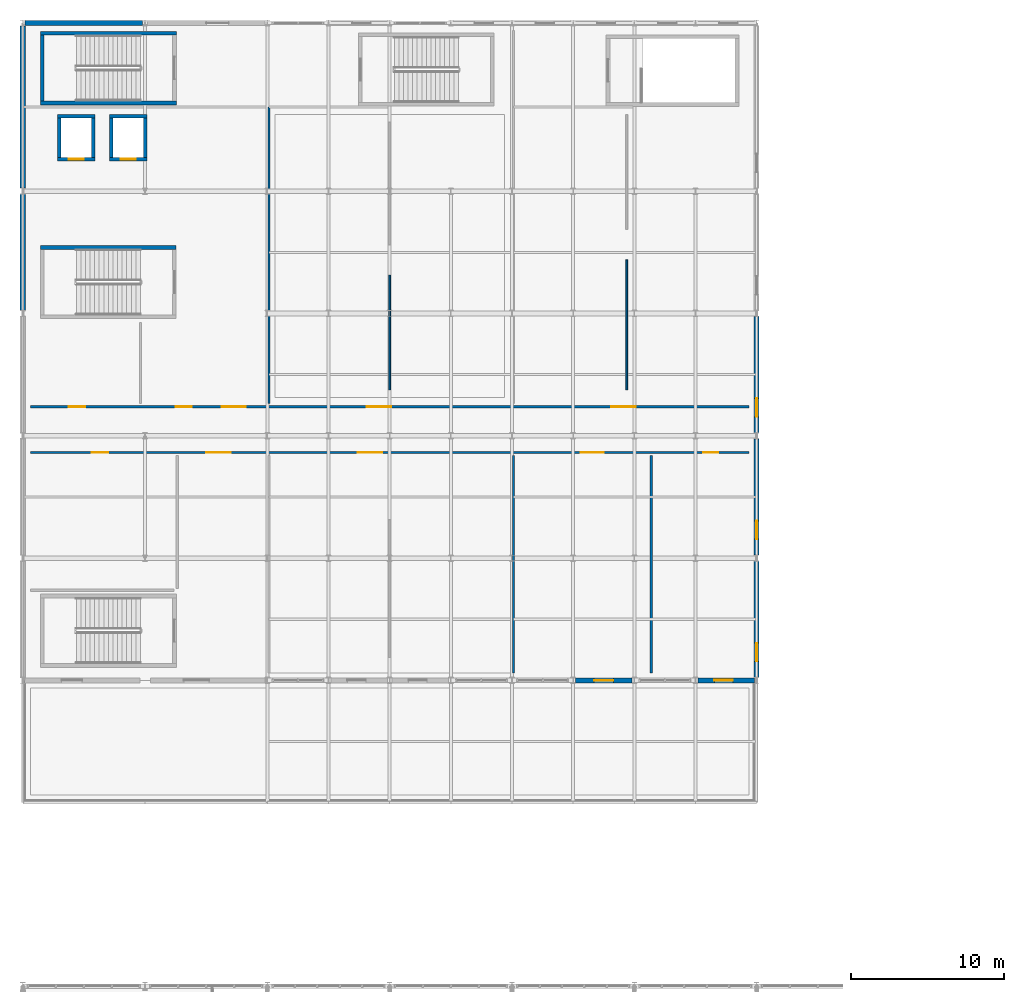
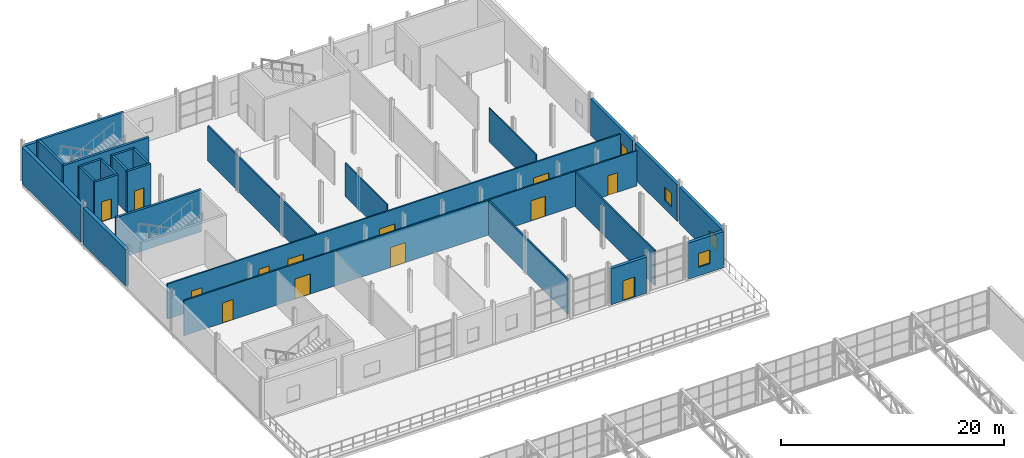
# One storey, part 60 of 67: 27 walls, 13 doors, 4 windows, 17 openings.
"""IFC4 building model written with IfcOpenShell, lengths in metres."""

from ifc_helpers import new_model, si_unit, derived_unit, direction, frame, frame_2d, origin, place, context, subcontext, project, spatial, rectangle, extrude, material, layer, layer_set, type_object, element, fill, save


model = new_model("IFC4")

# Units and contexts
model_context = context("Model", 3, precision=1e-05, world=origin(), true_north=direction((0.0, 1.0)))
body_context = subcontext(model_context, "Body", "Model", "MODEL_VIEW")
ifc_project = project(units=[si_unit("LENGTHUNIT", "METRE"), si_unit("AREAUNIT", "SQUARE_METRE"), si_unit("VOLUMEUNIT", "CUBIC_METRE"), si_unit("PLANEANGLEUNIT", "RADIAN"), si_unit("MASSUNIT", "GRAM", prefix="KILO"), derived_unit("THERMALTRANSMITTANCEUNIT", [(si_unit("POWERUNIT", "WATT"), 1), (si_unit("LENGTHUNIT", "METRE"), -2), (si_unit("THERMODYNAMICTEMPERATUREUNIT", "KELVIN"), -1)])], contexts=[model_context])

# Site, building, storey
site_placement = place(None, origin())
site = spatial("IfcSite", under=ifc_project, at=site_placement, CompositionType="ELEMENT")
building_placement = place(site_placement, origin())
building = spatial("IfcBuilding", under=site, at=building_placement, Name="Keldorne Ridge Multi-Sports Centre", CompositionType="ELEMENT")
storey_placement = place(building_placement, frame((0.0, 0.0, 14.0)))
storey = spatial("IfcBuildingStorey", under=building, at=storey_placement, Name="L03", CompositionType="ELEMENT", Elevation=14.0)

# Walls
ifc_material_1 = material(Name="Acoustic operable panel partition")
ifc_layer_1 = layer(ifc_material_1, 0.110107421875)
ifc_layer_set_1 = layer_set([ifc_layer_1])
wall_type_1 = type_object("IfcWallType", Name="WAL-MV-01", PredefinedType="MOVABLE", material=ifc_layer_set_1)
wall_1_placement = place(storey_placement, frame((128.0, 93.0, 0.0), z_axis=(0.0, 0.0, 1.0), x_axis=(0.0, 1.0, 0.0)))
element("IfcWall", 1, at=wall_1_placement, inside=storey, type_object=wall_type_1, Name="Acoustic operable studio partition MV-01", PredefinedType="MOVABLE", context=body_context, shape_type="SweptSolid", body=[
    extrude(rectangle(XDim=7.5, YDim=0.110107421875, at=frame_2d((3.75, 0.0))), origin(), (0.0, 0.0, 1.0), 3.699951171875),
])
wall_2_placement = place(storey_placement, frame((143.5, 93.0, 0.0), z_axis=(0.0, 0.0, 1.0), x_axis=(0.0, 1.0, 0.0)))
element("IfcWall", 2, at=wall_2_placement, inside=storey, type_object=wall_type_1, Name="Acoustic operable studio partition MV-03", PredefinedType="MOVABLE", context=body_context, shape_type="SweptSolid", body=[
    extrude(rectangle(XDim=8.5, YDim=0.110107421875, at=frame_2d((4.25, 0.0))), origin(), (0.0, 0.0, 1.0), 3.699951171875),
])

# Wall, opening, door
ifc_material_2 = material(Name="Precast concrete C40/50", Category="concrete")
ifc_layer_2 = layer(ifc_material_2, 0.320068359375)
ifc_layer_set_2 = layer_set([ifc_layer_2], Name="Precast concrete C40/50")
wall_type_2 = type_object("IfcWallType", Name="WAL-PR-W1", PredefinedType="STANDARD", material=ifc_layer_set_2)
wall_3_placement = place(storey_placement, frame((140.152099609375, 74.0, 0.0), z_axis=(0.0, 0.0, 1.0), x_axis=(1.0, 0.0, 0.0)))
wall_3 = element("IfcWall", 3, at=wall_3_placement, inside=storey, type_object=wall_type_2, Name="East Wing L03 south facade 8", PredefinedType="STANDARD", context=body_context, shape_type="SweptSolid", body=[
    extrude(rectangle(XDim=3.69580078125, YDim=0.320068359375, at=frame_2d((1.847900390625, 0.0))), origin(), (0.0, 0.0, 1.0), 3.955078125),
])
opening_1_placement = place(wall_3_placement, frame((1.222900390625, 0.0, 0.0)))
opening_1 = element("IfcOpeningElement", 4, at=opening_1_placement, cuts=wall_3, Name="Opening ED-06", PredefinedType="OPENING", context=body_context, shape_type="SweptSolid", body=[
    extrude(rectangle(XDim=1.25, YDim=2.199951171875, at=frame_2d((0.625, 1.10009765625))), frame((0.0, 0.169921875, 0.0), z_axis=(0.0, -1.0, 0.0), x_axis=(1.0, 0.0, 0.0)), (0.0, 0.0, 1.0), 0.340087890625),
])
ifc_material_3 = material(Name="Galvanized steel", Category="steel")
door_type_1 = type_object("IfcDoorType", Name="DR-ED-06", OperationType="NOTDEFINED", PredefinedType="DOOR", material=ifc_material_3)
door_1_placement = place(opening_1_placement, origin())
door_1 = element("IfcDoor", 5, at=door_1_placement, inside=storey, type_object=door_type_1, Name="Third floor South Roof Garden door 7", OperationType="SINGLE_SWING_LEFT", OverallHeight=2.199951171875, OverallWidth=1.25, PredefinedType="DOOR", context=body_context, shape_type="SweptSolid", body=[
    extrude(rectangle(XDim=1.25, YDim=2.199951171875, at=frame_2d((0.625, 1.10009765625))), frame((0.0, 0.02490234375, 0.0), z_axis=(0.0, -1.0, 0.0), x_axis=(1.0, 0.0, 0.0)), (0.0, 0.0, 1.0), 0.050048828125),
])
fill(opening_1, door_1)

# Wall, opening, window
wall_4_placement = place(storey_placement, frame((148.152099609375, 74.0, 0.0), z_axis=(0.0, 0.0, 1.0), x_axis=(1.0, 0.0, 0.0)))
wall_4 = element("IfcWall", 6, at=wall_4_placement, inside=storey, type_object=wall_type_2, Name="East Wing L03 south facade 10", PredefinedType="STANDARD", context=body_context, shape_type="SweptSolid", body=[
    extrude(rectangle(XDim=3.69580078125, YDim=0.320068359375, at=frame_2d((1.847900390625, 0.0))), origin(), (0.0, 0.0, 1.0), 3.955078125),
])
opening_2_placement = place(wall_4_placement, frame((1.087890625, 0.0, 0.949951171875)))
opening_2 = element("IfcOpeningElement", 7, at=opening_2_placement, cuts=wall_4, Name="Opening W-03", PredefinedType="OPENING", context=body_context, shape_type="SweptSolid", body=[
    extrude(rectangle(XDim=1.199951171875, YDim=1.5, at=frame_2d((0.60009765625, 0.75))), frame((0.0, 0.169921875, 0.0), z_axis=(0.0, -1.0, 0.0), x_axis=(1.0, 0.0, 0.0)), (0.0, 0.0, 1.0), 0.340087890625),
])
ifc_material_4 = material(Name="Anodized aluminium", Category="aluminium")
window_type = type_object("IfcWindowType", Name="WIN-W-03", PartitioningType="SINGLE_PANEL", PredefinedType="WINDOW", material=ifc_material_4)
window_1_placement = place(opening_2_placement, origin())
window_1 = element("IfcWindow", 8, at=window_1_placement, inside=storey, type_object=window_type, Name="East Wing L03 south window W-094", OverallHeight=1.5, OverallWidth=1.199951171875, PartitioningType="SINGLE_PANEL", PredefinedType="WINDOW", context=body_context, shape_type="SweptSolid", body=[
    extrude(rectangle(XDim=1.199951171875, YDim=1.5, at=frame_2d((0.60009765625, 0.75))), frame((0.0, 0.030029296875, 0.0), z_axis=(0.0, -1.0, 0.0), x_axis=(1.0, 0.0, 0.0)), (0.0, 0.0, 1.0), 0.06005859375),
])
fill(opening_2, window_1)

# Wall
wall_5_placement = place(storey_placement, frame((111.847900390625, 117.0, 0.0), z_axis=(0.0, 0.0, 1.0), x_axis=(-1.0, 0.0, 0.0)))
element("IfcWall", 9, at=wall_5_placement, inside=storey, type_object=wall_type_2, Name="East Wing L03 north facade 1", PredefinedType="STANDARD", context=body_context, shape_type="SweptSolid", body=[
    extrude(rectangle(XDim=7.69580078125, YDim=0.320068359375, at=frame_2d((3.847900390625, 0.0))), origin(), (0.0, 0.0, 1.0), 3.955078125),
])

# Wall, opening, window
wall_6_placement = place(storey_placement, frame((152.0, 74.197021484375, 0.0), z_axis=(0.0, 0.0, 1.0), x_axis=(0.0, 1.0, 0.0)))
wall_6 = element("IfcWall", 10, at=wall_6_placement, inside=storey, type_object=wall_type_2, Name="East Wing L03 east facade 1", PredefinedType="STANDARD", context=body_context, shape_type="SweptSolid", body=[
    extrude(rectangle(XDim=7.60595703125, YDim=0.320068359375, at=frame_2d((3.802978515625, 0.0))), origin(), (0.0, 0.0, 1.0), 4.0048828125),
])
opening_3_placement = place(wall_6_placement, frame((1.04296875, 0.0, 0.949951171875)))
opening_3 = element("IfcOpeningElement", 11, at=opening_3_placement, cuts=wall_6, Name="Opening W-03", PredefinedType="OPENING", context=body_context, shape_type="SweptSolid", body=[
    extrude(rectangle(XDim=1.199951171875, YDim=1.5, at=frame_2d((0.60009765625, 0.75))), frame((0.0, 0.169921875, 0.0), z_axis=(0.0, -1.0, 0.0), x_axis=(1.0, 0.0, 0.0)), (0.0, 0.0, 1.0), 0.340087890625),
])
window_2_placement = place(opening_3_placement, origin())
window_2 = element("IfcWindow", 12, at=window_2_placement, inside=storey, type_object=window_type, Name="East Wing L03 east window W-102", OverallHeight=1.5, OverallWidth=1.199951171875, PartitioningType="SINGLE_PANEL", PredefinedType="WINDOW", context=body_context, shape_type="SweptSolid", body=[
    extrude(rectangle(XDim=1.199951171875, YDim=1.5, at=frame_2d((0.60009765625, 0.75))), frame((0.0, 0.030029296875, 0.0), z_axis=(0.0, -1.0, 0.0), x_axis=(1.0, 0.0, 0.0)), (0.0, 0.0, 1.0), 0.06005859375),
])
fill(opening_3, window_2)

wall_7_placement = place(storey_placement, frame((152.0, 82.197021484375, 0.0), z_axis=(0.0, 0.0, 1.0), x_axis=(0.0, 1.0, 0.0)))
wall_7 = element("IfcWall", 13, at=wall_7_placement, inside=storey, type_object=wall_type_2, Name="East Wing L03 east facade 2", PredefinedType="STANDARD", context=body_context, shape_type="SweptSolid", body=[
    extrude(rectangle(XDim=7.60595703125, YDim=0.320068359375, at=frame_2d((3.802978515625, 0.0))), origin(), (0.0, 0.0, 1.0), 4.0048828125),
])
opening_4_placement = place(wall_7_placement, frame((1.04296875, 0.0, 0.949951171875)))
opening_4 = element("IfcOpeningElement", 14, at=opening_4_placement, cuts=wall_7, Name="Opening W-03", PredefinedType="OPENING", context=body_context, shape_type="SweptSolid", body=[
    extrude(rectangle(XDim=1.199951171875, YDim=1.5, at=frame_2d((0.60009765625, 0.75))), frame((0.0, 0.169921875, 0.0), z_axis=(0.0, -1.0, 0.0), x_axis=(1.0, 0.0, 0.0)), (0.0, 0.0, 1.0), 0.340087890625),
])
window_3_placement = place(opening_4_placement, origin())
window_3 = element("IfcWindow", 15, at=window_3_placement, inside=storey, type_object=window_type, Name="East Wing L03 east window W-103", OverallHeight=1.5, OverallWidth=1.199951171875, PartitioningType="SINGLE_PANEL", PredefinedType="WINDOW", context=body_context, shape_type="SweptSolid", body=[
    extrude(rectangle(XDim=1.199951171875, YDim=1.5, at=frame_2d((0.60009765625, 0.75))), frame((0.0, 0.030029296875, 0.0), z_axis=(0.0, -1.0, 0.0), x_axis=(1.0, 0.0, 0.0)), (0.0, 0.0, 1.0), 0.06005859375),
])
fill(opening_4, window_3)

wall_8_placement = place(storey_placement, frame((152.0, 90.197021484375, 0.0), z_axis=(0.0, 0.0, 1.0), x_axis=(0.0, 1.0, 0.0)))
wall_8 = element("IfcWall", 16, at=wall_8_placement, inside=storey, type_object=wall_type_2, Name="East Wing L03 east facade 3", PredefinedType="STANDARD", context=body_context, shape_type="SweptSolid", body=[
    extrude(rectangle(XDim=7.60595703125, YDim=0.320068359375, at=frame_2d((3.802978515625, 0.0))), origin(), (0.0, 0.0, 1.0), 4.0048828125),
])
opening_5_placement = place(wall_8_placement, frame((1.04296875, 0.0, 0.949951171875)))
opening_5 = element("IfcOpeningElement", 17, at=opening_5_placement, cuts=wall_8, Name="Opening W-03", PredefinedType="OPENING", context=body_context, shape_type="SweptSolid", body=[
    extrude(rectangle(XDim=1.199951171875, YDim=1.5, at=frame_2d((0.60009765625, 0.75))), frame((0.0, 0.169921875, 0.0), z_axis=(0.0, -1.0, 0.0), x_axis=(1.0, 0.0, 0.0)), (0.0, 0.0, 1.0), 0.340087890625),
])
window_4_placement = place(opening_5_placement, origin())
window_4 = element("IfcWindow", 18, at=window_4_placement, inside=storey, type_object=window_type, Name="East Wing L03 east window W-104", OverallHeight=1.5, OverallWidth=1.199951171875, PartitioningType="SINGLE_PANEL", PredefinedType="WINDOW", context=body_context, shape_type="SweptSolid", body=[
    extrude(rectangle(XDim=1.199951171875, YDim=1.5, at=frame_2d((0.60009765625, 0.75))), frame((0.0, 0.030029296875, 0.0), z_axis=(0.0, -1.0, 0.0), x_axis=(1.0, 0.0, 0.0)), (0.0, 0.0, 1.0), 0.06005859375),
])
fill(opening_5, window_4)

# Walls
ifc_layer_3 = layer(ifc_material_2, 0.360107421875)
ifc_layer_set_3 = layer_set([ifc_layer_3], Name="Precast concrete C40/50")
wall_type_3 = type_object("IfcWallType", Name="WAL-PR-W2", PredefinedType="STANDARD", material=ifc_layer_set_3)
wall_9_placement = place(storey_placement, frame((104.0, 105.802978515625, 0.0), z_axis=(0.0, 0.0, 1.0), x_axis=(0.0, -1.0, 0.0)))
element("IfcWall", 19, at=wall_9_placement, inside=storey, type_object=wall_type_3, Name="East Wing movement-joint wall L03.4", PredefinedType="STANDARD", context=body_context, shape_type="SweptSolid", body=[
    extrude(rectangle(XDim=7.60595703125, YDim=0.360107421875, at=frame_2d((3.802978515625, 0.0))), origin(), (0.0, 0.0, 1.0), 4.0048828125),
])
wall_10_placement = place(storey_placement, frame((104.0, 116.802978515625, 0.0), z_axis=(0.0, 0.0, 1.0), x_axis=(0.0, -1.0, 0.0)))
element("IfcWall", 20, at=wall_10_placement, inside=storey, type_object=wall_type_3, Name="East Wing movement-joint wall L03.5", PredefinedType="STANDARD", context=body_context, shape_type="SweptSolid", body=[
    extrude(rectangle(XDim=10.60595703125, YDim=0.360107421875, at=frame_2d((5.302978515625, 0.0))), origin(), (0.0, 0.0, 1.0), 4.0048828125),
])

# Wall, openings, doors
ifc_material_5 = material(Name="Fire-rated twin stud plasterboard")
ifc_layer_4 = layer(ifc_material_5, 0.14990234375)
ifc_layer_set_4 = layer_set([ifc_layer_4])
wall_type_4 = type_object("IfcWallType", Name="WAL-PT-02", PredefinedType="PARTITIONING", material=ifc_layer_set_4)
wall_11_placement = place(storey_placement, frame((104.5, 88.89990234375, 0.0), z_axis=(0.0, 0.0, 1.0), x_axis=(1.0, 0.0, 0.0)))
wall_11 = element("IfcWall", 21, at=wall_11_placement, inside=storey, type_object=wall_type_4, Name="Studio corridor south wall IW-L03-063", PredefinedType="PARTITIONING", context=body_context, shape_type="SweptSolid", body=[
    extrude(rectangle(XDim=47.0, YDim=0.14990234375, at=frame_2d((23.5, 0.0))), origin(), (0.0, 0.0, 1.0), 3.85009765625),
])
opening_6_placement = place(wall_11_placement, frame((4.0, 0.0, 0.0)))
opening_6 = element("IfcOpeningElement", 22, at=opening_6_placement, cuts=wall_11, Name="Opening D-03", PredefinedType="OPENING", context=body_context, shape_type="SweptSolid", body=[
    extrude(rectangle(XDim=1.10009765625, YDim=2.199951171875, at=frame_2d((0.550048828125, 1.10009765625))), frame((0.0, 0.0849609375, 0.0), z_axis=(0.0, -1.0, 0.0), x_axis=(1.0, 0.0, 0.0)), (0.0, 0.0, 1.0), 0.169921875),
])
opening_7_placement = place(wall_11_placement, frame((11.5, 0.0, 0.0)))
opening_7 = element("IfcOpeningElement", 23, at=opening_7_placement, cuts=wall_11, Name="Opening D-04", PredefinedType="OPENING", context=body_context, shape_type="SweptSolid", body=[
    extrude(rectangle(XDim=1.60009765625, YDim=2.199951171875, at=frame_2d((0.800048828125, 1.10009765625))), frame((0.0, 0.0849609375, 0.0), z_axis=(0.0, -1.0, 0.0), x_axis=(1.0, 0.0, 0.0)), (0.0, 0.0, 1.0), 0.169921875),
])
opening_8_placement = place(wall_11_placement, frame((21.39990234375, 0.0, 0.0)))
opening_8 = element("IfcOpeningElement", 24, at=opening_8_placement, cuts=wall_11, Name="Opening D-04", PredefinedType="OPENING", context=body_context, shape_type="SweptSolid", body=[
    extrude(rectangle(XDim=1.60009765625, YDim=2.199951171875, at=frame_2d((0.800048828125, 1.10009765625))), frame((0.0, 0.0849609375, 0.0), z_axis=(0.0, -1.0, 0.0), x_axis=(1.0, 0.0, 0.0)), (0.0, 0.0, 1.0), 0.169921875),
])
opening_9_placement = place(wall_11_placement, frame((36.0, 0.0, 0.0)))
opening_9 = element("IfcOpeningElement", 25, at=opening_9_placement, cuts=wall_11, Name="Opening D-10", PredefinedType="OPENING", context=body_context, shape_type="SweptSolid", body=[
    extrude(rectangle(XDim=1.5, YDim=2.199951171875, at=frame_2d((0.75, 1.10009765625))), frame((0.0, 0.0849609375, 0.0), z_axis=(0.0, -1.0, 0.0), x_axis=(1.0, 0.0, 0.0)), (0.0, 0.0, 1.0), 0.169921875),
])
opening_10_placement = place(wall_11_placement, frame((44.0, 0.0, 0.0)))
opening_10 = element("IfcOpeningElement", 26, at=opening_10_placement, cuts=wall_11, Name="Opening D-02", PredefinedType="OPENING", context=body_context, shape_type="SweptSolid", body=[
    extrude(rectangle(XDim=1.0, YDim=2.14990234375, at=frame_2d((0.5, 1.074951171875))), frame((0.0, 0.0849609375, 0.0), z_axis=(0.0, -1.0, 0.0), x_axis=(1.0, 0.0, 0.0)), (0.0, 0.0, 1.0), 0.169921875),
])
ifc_material_6 = material(Name="Timber acoustic leaf", Category="wood")
door_type_2 = type_object("IfcDoorType", Name="DR-D-02", OperationType="NOTDEFINED", PredefinedType="DOOR", material=ifc_material_6)
door_2_placement = place(opening_10_placement, origin())
door_2 = element("IfcDoor", 27, at=door_2_placement, inside=storey, type_object=door_type_2, Name="Community Sports Seminar door D-127", OperationType="SINGLE_SWING_LEFT", OverallHeight=2.14990234375, OverallWidth=1.0, PredefinedType="DOOR", context=body_context, shape_type="SweptSolid", body=[
    extrude(rectangle(XDim=1.0, YDim=2.14990234375, at=frame_2d((0.5, 1.074951171875))), frame((0.0, 0.02490234375, 0.0), z_axis=(0.0, -1.0, 0.0), x_axis=(1.0, 0.0, 0.0)), (0.0, 0.0, 1.0), 0.050048828125),
])
fill(opening_10, door_2)
ifc_material_7 = material(Name="Timber fire-resisting leaf", Category="wood")
door_type_3 = type_object("IfcDoorType", Name="DR-D-03", OperationType="NOTDEFINED", PredefinedType="DOOR", material=ifc_material_7)
door_3_placement = place(opening_6_placement, origin())
door_3 = element("IfcDoor", 28, at=door_3_placement, inside=storey, type_object=door_type_3, Name="Studio Changing Room door D-123", OperationType="SINGLE_SWING_RIGHT", OverallHeight=2.199951171875, OverallWidth=1.10009765625, PredefinedType="DOOR", context=body_context, shape_type="SweptSolid", body=[
    extrude(rectangle(XDim=1.10009765625, YDim=2.199951171875, at=frame_2d((0.550048828125, 1.10009765625))), frame((0.0, 0.02490234375, 0.0), z_axis=(0.0, -1.0, 0.0), x_axis=(1.0, 0.0, 0.0)), (0.0, 0.0, 1.0), 0.050048828125),
])
fill(opening_6, door_3)
ifc_material_8 = material(Name="Timber fire-resisting pair", Category="wood")
door_type_4 = type_object("IfcDoorType", Name="DR-D-04", OperationType="NOTDEFINED", PredefinedType="DOOR", material=ifc_material_8)
door_4_placement = place(opening_7_placement, origin())
door_4 = element("IfcDoor", 29, at=door_4_placement, inside=storey, type_object=door_type_4, Name="Third floor south lift lobby door D-124", OperationType="DOUBLE_DOOR_SINGLE_SWING", OverallHeight=2.199951171875, OverallWidth=1.60009765625, PredefinedType="DOOR", context=body_context, shape_type="SweptSolid", body=[
    extrude(rectangle(XDim=1.60009765625, YDim=2.199951171875, at=frame_2d((0.800048828125, 1.10009765625))), frame((0.0, 0.02490234375, 0.0), z_axis=(0.0, -1.0, 0.0), x_axis=(1.0, 0.0, 0.0)), (0.0, 0.0, 1.0), 0.050048828125),
])
fill(opening_7, door_4)
door_5_placement = place(opening_8_placement, origin())
door_5 = element("IfcDoor", 30, at=door_5_placement, inside=storey, type_object=door_type_4, Name="Martial Arts Dojo double door D-125", OperationType="DOUBLE_DOOR_SINGLE_SWING", OverallHeight=2.199951171875, OverallWidth=1.60009765625, PredefinedType="DOOR", context=body_context, shape_type="SweptSolid", body=[
    extrude(rectangle(XDim=1.60009765625, YDim=2.199951171875, at=frame_2d((0.800048828125, 1.10009765625))), frame((0.0, 0.02490234375, 0.0), z_axis=(0.0, -1.0, 0.0), x_axis=(1.0, 0.0, 0.0)), (0.0, 0.0, 1.0), 0.050048828125),
])
fill(opening_8, door_5)
ifc_material_9 = material(Name="Timber acoustic pair", Category="wood")
door_type_5 = type_object("IfcDoorType", Name="DR-D-10", OperationType="NOTDEFINED", PredefinedType="DOOR", material=ifc_material_9)
door_6_placement = place(opening_9_placement, origin())
door_6 = element("IfcDoor", 31, at=door_6_placement, inside=storey, type_object=door_type_5, Name="Athletic Conditioning Gym door D-126", OperationType="DOUBLE_DOOR_SINGLE_SWING", OverallHeight=2.199951171875, OverallWidth=1.5, PredefinedType="DOOR", context=body_context, shape_type="SweptSolid", body=[
    extrude(rectangle(XDim=1.5, YDim=2.199951171875, at=frame_2d((0.75, 1.10009765625))), frame((0.0, 0.02490234375, 0.0), z_axis=(0.0, -1.0, 0.0), x_axis=(1.0, 0.0, 0.0)), (0.0, 0.0, 1.0), 0.050048828125),
])
fill(opening_9, door_6)

wall_12_placement = place(storey_placement, frame((104.5, 91.89990234375, 0.0), z_axis=(0.0, 0.0, 1.0), x_axis=(1.0, 0.0, 0.0)))
wall_12 = element("IfcWall", 32, at=wall_12_placement, inside=storey, type_object=wall_type_4, Name="Studio corridor north wall IW-L03-064", PredefinedType="PARTITIONING", context=body_context, shape_type="SweptSolid", body=[
    extrude(rectangle(XDim=47.0, YDim=0.14990234375, at=frame_2d((23.5, 0.0))), origin(), (0.0, 0.0, 1.0), 3.85009765625),
])
opening_11_placement = place(wall_12_placement, frame((2.5, 0.0, 0.0)))
opening_11 = element("IfcOpeningElement", 33, at=opening_11_placement, cuts=wall_12, Name="Opening D-03", PredefinedType="OPENING", context=body_context, shape_type="SweptSolid", body=[
    extrude(rectangle(XDim=1.10009765625, YDim=2.199951171875, at=frame_2d((0.550048828125, 1.10009765625))), frame((0.0, 0.0849609375, 0.0), z_axis=(0.0, -1.0, 0.0), x_axis=(1.0, 0.0, 0.0)), (0.0, 0.0, 1.0), 0.169921875),
])
opening_12_placement = place(wall_12_placement, frame((9.5, 0.0, 0.0)))
opening_12 = element("IfcOpeningElement", 34, at=opening_12_placement, cuts=wall_12, Name="Opening D-08", PredefinedType="OPENING", context=body_context, shape_type="SweptSolid", body=[
    extrude(rectangle(XDim=1.050048828125, YDim=2.14990234375, at=frame_2d((0.52490234375, 1.074951171875))), frame((0.0, 0.0849609375, 0.0), z_axis=(0.0, -1.0, 0.0), x_axis=(1.0, 0.0, 0.0)), (0.0, 0.0, 1.0), 0.169921875),
])
opening_13_placement = place(wall_12_placement, frame((12.5, 0.0, 0.0)))
opening_13 = element("IfcOpeningElement", 35, at=opening_13_placement, cuts=wall_12, Name="Opening D-04", PredefinedType="OPENING", context=body_context, shape_type="SweptSolid", body=[
    extrude(rectangle(XDim=1.60009765625, YDim=2.199951171875, at=frame_2d((0.800048828125, 1.10009765625))), frame((0.0, 0.0849609375, 0.0), z_axis=(0.0, -1.0, 0.0), x_axis=(1.0, 0.0, 0.0)), (0.0, 0.0, 1.0), 0.169921875),
])
opening_14_placement = place(wall_12_placement, frame((22.0, 0.0, 0.0)))
opening_14 = element("IfcOpeningElement", 36, at=opening_14_placement, cuts=wall_12, Name="Opening D-04", PredefinedType="OPENING", context=body_context, shape_type="SweptSolid", body=[
    extrude(rectangle(XDim=1.60009765625, YDim=2.199951171875, at=frame_2d((0.800048828125, 1.10009765625))), frame((0.0, 0.0849609375, 0.0), z_axis=(0.0, -1.0, 0.0), x_axis=(1.0, 0.0, 0.0)), (0.0, 0.0, 1.0), 0.169921875),
])
opening_15_placement = place(wall_12_placement, frame((38.0, 0.0, 0.0)))
opening_15 = element("IfcOpeningElement", 37, at=opening_15_placement, cuts=wall_12, Name="Opening D-04", PredefinedType="OPENING", context=body_context, shape_type="SweptSolid", body=[
    extrude(rectangle(XDim=1.60009765625, YDim=2.199951171875, at=frame_2d((0.800048828125, 1.10009765625))), frame((0.0, 0.0849609375, 0.0), z_axis=(0.0, -1.0, 0.0), x_axis=(1.0, 0.0, 0.0)), (0.0, 0.0, 1.0), 0.169921875),
])
door_7_placement = place(opening_11_placement, origin())
door_7 = element("IfcDoor", 38, at=door_7_placement, inside=storey, type_object=door_type_3, Name="Third floor Public WC door D-128", OperationType="SINGLE_SWING_RIGHT", OverallHeight=2.199951171875, OverallWidth=1.10009765625, PredefinedType="DOOR", context=body_context, shape_type="SweptSolid", body=[
    extrude(rectangle(XDim=1.10009765625, YDim=2.199951171875, at=frame_2d((0.550048828125, 1.10009765625))), frame((0.0, 0.02490234375, 0.0), z_axis=(0.0, -1.0, 0.0), x_axis=(1.0, 0.0, 0.0)), (0.0, 0.0, 1.0), 0.050048828125),
])
fill(opening_11, door_7)
door_8_placement = place(opening_13_placement, origin())
door_8 = element("IfcDoor", 39, at=door_8_placement, inside=storey, type_object=door_type_4, Name="Third floor north lift lobby door D-130", OperationType="DOUBLE_DOOR_SINGLE_SWING", OverallHeight=2.199951171875, OverallWidth=1.60009765625, PredefinedType="DOOR", context=body_context, shape_type="SweptSolid", body=[
    extrude(rectangle(XDim=1.60009765625, YDim=2.199951171875, at=frame_2d((0.800048828125, 1.10009765625))), frame((0.0, 0.02490234375, 0.0), z_axis=(0.0, -1.0, 0.0), x_axis=(1.0, 0.0, 0.0)), (0.0, 0.0, 1.0), 0.050048828125),
])
fill(opening_13, door_8)
door_9_placement = place(opening_14_placement, origin())
door_9 = element("IfcDoor", 40, at=door_9_placement, inside=storey, type_object=door_type_4, Name="Sprung Dance Studio double door D-131", OperationType="DOUBLE_DOOR_SINGLE_SWING", OverallHeight=2.199951171875, OverallWidth=1.60009765625, PredefinedType="DOOR", context=body_context, shape_type="SweptSolid", body=[
    extrude(rectangle(XDim=1.60009765625, YDim=2.199951171875, at=frame_2d((0.800048828125, 1.10009765625))), frame((0.0, 0.02490234375, 0.0), z_axis=(0.0, -1.0, 0.0), x_axis=(1.0, 0.0, 0.0)), (0.0, 0.0, 1.0), 0.050048828125),
])
fill(opening_14, door_9)
door_10_placement = place(opening_15_placement, origin())
door_10 = element("IfcDoor", 41, at=door_10_placement, inside=storey, type_object=door_type_4, Name="High-Impact Aerobics Studio double door D-132", OperationType="DOUBLE_DOOR_SINGLE_SWING", OverallHeight=2.199951171875, OverallWidth=1.60009765625, PredefinedType="DOOR", context=body_context, shape_type="SweptSolid", body=[
    extrude(rectangle(XDim=1.60009765625, YDim=2.199951171875, at=frame_2d((0.800048828125, 1.10009765625))), frame((0.0, 0.02490234375, 0.0), z_axis=(0.0, -1.0, 0.0), x_axis=(1.0, 0.0, 0.0)), (0.0, 0.0, 1.0), 0.050048828125),
])
fill(opening_15, door_10)
ifc_material_10 = material(Name="Timber moisture-resistant leaf", Category="wood")
door_type_6 = type_object("IfcDoorType", Name="DR-D-08", OperationType="NOTDEFINED", PredefinedType="DOOR", material=ifc_material_10)
door_11_placement = place(opening_12_placement, origin())
door_11 = element("IfcDoor", 42, at=door_11_placement, inside=storey, type_object=door_type_6, Name="Third floor Accessible WC door D-129", OperationType="SINGLE_SWING_LEFT", OverallHeight=2.14990234375, OverallWidth=1.050048828125, PredefinedType="DOOR", context=body_context, shape_type="SweptSolid", body=[
    extrude(rectangle(XDim=1.050048828125, YDim=2.14990234375, at=frame_2d((0.52490234375, 1.074951171875))), frame((0.0, 0.02490234375, 0.0), z_axis=(0.0, -1.0, 0.0), x_axis=(1.0, 0.0, 0.0)), (0.0, 0.0, 1.0), 0.050048828125),
])
fill(opening_12, door_11)

# Walls
for number, where, z_axis, x_axis, name in (
    (43, (136.10009765625, 74.5, 0.0), (0.0, 0.0, 1.0), (0.0, 1.0, 0.0), "Third floor studio divider IW-L03-068"),
    (44, (145.10009765625, 74.5, 0.0), (0.0, 0.0, 1.0), (0.0, 1.0, 0.0), "Third floor studio divider IW-L03-069"),
):
    element("IfcWall", number, at=place(storey_placement, frame(where, z_axis=z_axis, x_axis=x_axis)), inside=storey, type_object=wall_type_4, Name=name, PredefinedType="PARTITIONING", context=body_context, shape_type="SweptSolid", body=[
        extrude(rectangle(XDim=14.199951171875, YDim=0.14990234375, at=frame_2d((7.10009765625, 0.0))), origin(), (0.0, 0.0, 1.0), 3.85009765625),
    ])
wall_13_placement = place(storey_placement, frame((120.10009765625, 92.10009765625, 0.0), z_axis=(0.0, 0.0, 1.0), x_axis=(0.0, 1.0, 0.0)))
element("IfcWall", 45, at=wall_13_placement, inside=storey, type_object=wall_type_4, Name="Third floor studio divider IW-L03-071", PredefinedType="PARTITIONING", context=body_context, shape_type="SweptSolid", body=[
    extrude(rectangle(XDim=19.39990234375, YDim=0.14990234375, at=frame_2d((9.699951171875, 0.0))), origin(), (0.0, 0.0, 1.0), 3.85009765625),
])
ifc_material_11 = material(Name="Concrete C40/50", Category="concrete")
ifc_layer_5 = layer(ifc_material_11, 0.25)
ifc_layer_set_5 = layer_set([ifc_layer_5], Name="Concrete C40/50")
wall_type_5 = type_object("IfcWallType", Name="WAL-SW01", PredefinedType="SHEAR", material=ifc_layer_set_5)
wall_14_placement = place(storey_placement, frame((105.27490234375, 116.199951171875, 0.0), z_axis=(0.0, 0.0, 1.0), x_axis=(0.0, -1.0, 0.0)))
element("IfcWall", 46, at=wall_14_placement, inside=storey, type_object=wall_type_5, Name="Stair ST-01 shaft wall L03 FAR", PredefinedType="SHEAR", context=body_context, shape_type="SweptSolid", body=[
    extrude(rectangle(XDim=4.300048828125, YDim=0.25, at=frame_2d((2.14990234375, 0.0))), origin(), (0.0, 0.0, 1.0), 4.60009765625),
])
for number, where, z_axis, x_axis, name in (
    (47, (105.14990234375, 111.77490234375, 0.0), (0.0, 0.0, 1.0), (1.0, 0.0, 0.0), "Stair ST-01 shaft wall L03 SOUTH"),
    (48, (114.050048828125, 116.324951171875, 0.0), (0.0, 0.0, 1.0), (-1.0, 0.0, 0.0), "Stair ST-01 shaft wall L03 NORTH"),
):
    element("IfcWall", number, at=place(storey_placement, frame(where, z_axis=z_axis, x_axis=x_axis)), inside=storey, type_object=wall_type_5, Name=name, PredefinedType="SHEAR", context=body_context, shape_type="SweptSolid", body=[
        extrude(rectangle(XDim=8.900146484375, YDim=0.25, at=frame_2d((4.4501953125, 0.0))), origin(), (0.0, 0.0, 1.0), 4.60009765625),
    ])

# Wall, opening, door
ifc_layer_6 = layer(ifc_material_11, 0.22998046875)
ifc_layer_set_6 = layer_set([ifc_layer_6], Name="Concrete C40/50")
wall_type_6 = type_object("IfcWallType", Name="WAL-SW02", PredefinedType="SHEAR", material=ifc_layer_set_6)
wall_15_placement = place(storey_placement, frame((106.280029296875, 108.090087890625, 0.0), z_axis=(0.0, 0.0, 1.0), x_axis=(1.0, 0.0, 0.0)))
wall_15 = element("IfcWall", 49, at=wall_15_placement, inside=storey, type_object=wall_type_6, Name="Lift L-01 shaft wall L03 south", PredefinedType="SHEAR", context=body_context, shape_type="SweptSolid", body=[
    extrude(rectangle(XDim=2.43994140625, YDim=0.219970703125, at=frame_2d((1.219970703125, 0.0))), origin(), (0.0, 0.0, 1.0), 4.60009765625),
])
opening_16_placement = place(wall_15_placement, frame((0.719970703125, 0.0, 0.0)))
opening_16 = element("IfcOpeningElement", 50, at=opening_16_placement, cuts=wall_15, Name="Opening LD-01", PredefinedType="OPENING", context=body_context, shape_type="SweptSolid", body=[
    extrude(rectangle(XDim=1.0, YDim=2.199951171875, at=frame_2d((0.5, 1.10009765625))), frame((0.0, 0.1201171875, 0.0), z_axis=(0.0, -1.0, 0.0), x_axis=(1.0, 0.0, 0.0)), (0.0, 0.0, 1.0), 0.239990234375),
])
ifc_material_12 = material(Name="Stainless steel", Category="steel")
door_type_7 = type_object("IfcDoorType", Name="DR-LD-01", OperationType="NOTDEFINED", PredefinedType="DOOR", material=ifc_material_12)
door_12_placement = place(opening_16_placement, origin())
door_12 = element("IfcDoor", 51, at=door_12_placement, inside=storey, type_object=door_type_7, Name="Lift L-01 sliding landing door L03", OperationType="SLIDING_TO_LEFT", OverallHeight=2.199951171875, OverallWidth=1.0, PredefinedType="DOOR", context=body_context, shape_type="SweptSolid", body=[
    extrude(rectangle(XDim=1.0, YDim=2.199951171875, at=frame_2d((0.5, 1.10009765625))), frame((0.0, 0.02490234375, 0.0), z_axis=(0.0, -1.0, 0.0), x_axis=(1.0, 0.0, 0.0)), (0.0, 0.0, 1.0), 0.050048828125),
])
fill(opening_16, door_12)

# Walls
wall_16_placement = place(storey_placement, frame((108.719970703125, 110.909912109375, 0.0), z_axis=(0.0, 0.0, 1.0), x_axis=(-1.0, 0.0, 0.0)))
element("IfcWall", 52, at=wall_16_placement, inside=storey, type_object=wall_type_6, Name="Lift L-01 shaft wall L03 north", PredefinedType="SHEAR", context=body_context, shape_type="SweptSolid", body=[
    extrude(rectangle(XDim=2.43994140625, YDim=0.219970703125, at=frame_2d((1.219970703125, 0.0))), origin(), (0.0, 0.0, 1.0), 4.60009765625),
])
for number, where, z_axis, x_axis, name in (
    (53, (106.389892578125, 110.800048828125, 0.0), (0.0, 0.0, 1.0), (0.0, -1.0, 0.0), "Lift L-01 shaft wall L03 west"),
    (54, (108.610107421875, 108.199951171875, 0.0), (0.0, 0.0, 1.0), (0.0, 1.0, 0.0), "Lift L-01 shaft wall L03 east"),
):
    element("IfcWall", number, at=place(storey_placement, frame(where, z_axis=z_axis, x_axis=x_axis)), inside=storey, type_object=wall_type_6, Name=name, PredefinedType="SHEAR", context=body_context, shape_type="SweptSolid", body=[
        extrude(rectangle(XDim=2.60009765625, YDim=0.219970703125, at=frame_2d((1.300048828125, 0.0))), origin(), (0.0, 0.0, 1.0), 4.60009765625),
    ])

# Wall, opening, door
wall_17_placement = place(storey_placement, frame((109.679931640625, 108.090087890625, 0.0), z_axis=(0.0, 0.0, 1.0), x_axis=(1.0, 0.0, 0.0)))
wall_17 = element("IfcWall", 55, at=wall_17_placement, inside=storey, type_object=wall_type_6, Name="Lift L-02 shaft wall L03 south", PredefinedType="SHEAR", context=body_context, shape_type="SweptSolid", body=[
    extrude(rectangle(XDim=2.440185546875, YDim=0.219970703125, at=frame_2d((1.22021484375, 0.0))), origin(), (0.0, 0.0, 1.0), 4.60009765625),
])
opening_17_placement = place(wall_17_placement, frame((0.719970703125, 0.0, 0.0)))
opening_17 = element("IfcOpeningElement", 56, at=opening_17_placement, cuts=wall_17, Name="Opening LD-01", PredefinedType="OPENING", context=body_context, shape_type="SweptSolid", body=[
    extrude(rectangle(XDim=1.0, YDim=2.199951171875, at=frame_2d((0.5, 1.10009765625))), frame((0.0, 0.1201171875, 0.0), z_axis=(0.0, -1.0, 0.0), x_axis=(1.0, 0.0, 0.0)), (0.0, 0.0, 1.0), 0.239990234375),
])
door_13_placement = place(opening_17_placement, origin())
door_13 = element("IfcDoor", 57, at=door_13_placement, inside=storey, type_object=door_type_7, Name="Lift L-02 sliding landing door L03", OperationType="SLIDING_TO_LEFT", OverallHeight=2.199951171875, OverallWidth=1.0, PredefinedType="DOOR", context=body_context, shape_type="SweptSolid", body=[
    extrude(rectangle(XDim=1.0, YDim=2.199951171875, at=frame_2d((0.5, 1.10009765625))), frame((0.0, 0.02490234375, 0.0), z_axis=(0.0, -1.0, 0.0), x_axis=(1.0, 0.0, 0.0)), (0.0, 0.0, 1.0), 0.050048828125),
])
fill(opening_17, door_13)

# Walls
wall_18_placement = place(storey_placement, frame((112.1201171875, 110.909912109375, 0.0), z_axis=(0.0, 0.0, 1.0), x_axis=(-1.0, 0.0, 0.0)))
element("IfcWall", 58, at=wall_18_placement, inside=storey, type_object=wall_type_6, Name="Lift L-02 shaft wall L03 north", PredefinedType="SHEAR", context=body_context, shape_type="SweptSolid", body=[
    extrude(rectangle(XDim=2.440185546875, YDim=0.219970703125, at=frame_2d((1.22021484375, 0.0))), origin(), (0.0, 0.0, 1.0), 4.60009765625),
])
for number, where, z_axis, x_axis, name in (
    (59, (109.7900390625, 110.800048828125, 0.0), (0.0, 0.0, 1.0), (0.0, -1.0, 0.0), "Lift L-02 shaft wall L03 west"),
    (60, (112.010009765625, 108.199951171875, 0.0), (0.0, 0.0, 1.0), (0.0, 1.0, 0.0), "Lift L-02 shaft wall L03 east"),
):
    element("IfcWall", number, at=place(storey_placement, frame(where, z_axis=z_axis, x_axis=x_axis)), inside=storey, type_object=wall_type_6, Name=name, PredefinedType="SHEAR", context=body_context, shape_type="SweptSolid", body=[
        extrude(rectangle(XDim=2.60009765625, YDim=0.219970703125, at=frame_2d((1.300048828125, 0.0))), origin(), (0.0, 0.0, 1.0), 4.60009765625),
    ])
wall_19_placement = place(storey_placement, frame((114.030029296875, 102.31494140625, 0.0), z_axis=(0.0, 0.0, 1.0), x_axis=(-1.0, 0.0, 0.0)))
element("IfcWall", 61, at=wall_19_placement, inside=storey, type_object=wall_type_6, Name="Stair ST-11 shaft wall L03 NORTH", PredefinedType="SHEAR", context=body_context, shape_type="SweptSolid", body=[
    extrude(rectangle(XDim=8.860107421875, YDim=0.22998046875, at=frame_2d((4.43017578125, 0.0))), origin(), (0.0, 0.0, 1.0), 4.60009765625),
])

save(model, "model.ifc")
